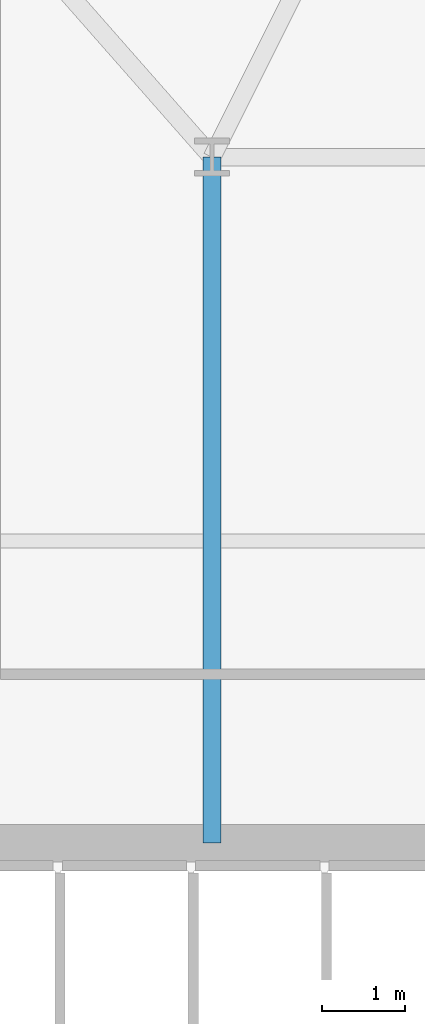
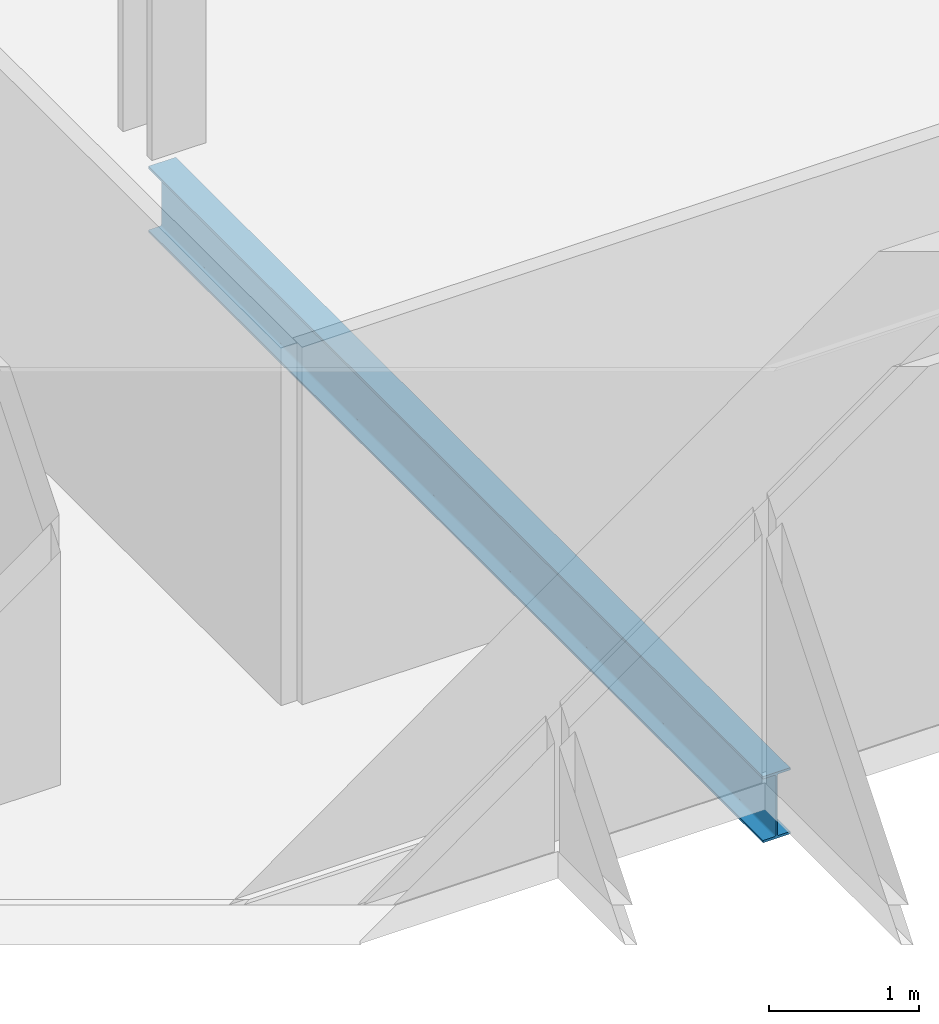
# One storey, part 6 of 31: 1 beam.
"""IFC4 building model written with IfcOpenShell, lengths in metres."""

from ifc_helpers import new_model, si_unit, direction, frame, origin, origin_2d, place, context, subcontext, project, spatial, i_section, extrude, material, material_profile, profile_set, type_object, element, save


model = new_model("IFC4")

# Units and contexts
model_context = context("Model", 3, precision=1e-05, world=origin(), true_north=direction((0.0, 1.0)))
body_context = subcontext(model_context, "Body", "Model", "MODEL_VIEW")
ifc_project = project(units=[si_unit("LENGTHUNIT", "METRE"), si_unit("AREAUNIT", "SQUARE_METRE"), si_unit("VOLUMEUNIT", "CUBIC_METRE"), si_unit("PLANEANGLEUNIT", "RADIAN"), si_unit("MASSUNIT", "GRAM", prefix="KILO")], contexts=[model_context])

# Site, building, storey
site_placement = place(None, origin())
site = spatial("IfcSite", under=ifc_project, at=site_placement, CompositionType="ELEMENT")
building_placement = place(site_placement, origin())
building = spatial("IfcBuilding", under=site, at=building_placement, Name="Ndaravel Arena Tower", CompositionType="ELEMENT")
storey_placement = place(building_placement, frame((0.0, 0.0, 100.60009765625)))
storey = spatial("IfcBuildingStorey", under=building, at=storey_placement, Name="L23", CompositionType="ELEMENT", Elevation=100.60009765625)

# Beam
ifc_material = material(Name="Steel S355", Category="steel")
ifc_material_profile = material_profile(ifc_material, i_section(OverallWidth=0.210693359375, OverallDepth=0.53955078125, WebThickness=0.01171875, FlangeThickness=0.018798828125, FilletRadius=0.0126953125, at=origin_2d()), Name="UB 533x210x109")
ifc_profile_set = profile_set([ifc_material_profile], Name="Steel S355")
beam_type = type_object("IfcBeamType", Name="BM-GIRD-UB533", PredefinedType="BEAM", material=ifc_profile_set)
beam_placement = place(storey_placement, frame((34.199951171875, 14.97998046875, -0.489990234375), z_axis=(0.0, 1.0, 0.0), x_axis=(-1.0, 0.0, 0.0)))
element("IfcBeam", 1, at=beam_placement, inside=storey, type_object=beam_type, Name="L23 Spine Link Girder SLG-01", PredefinedType="BEAM", context=body_context, shape_type="SweptSolid", body=[
    extrude(i_section(OverallWidth=0.210693359375, OverallDepth=0.53955078125, WebThickness=0.01171875, FlangeThickness=0.018798828125, FilletRadius=0.0126953125, at=origin_2d()), origin(), (0.0, 0.0, 1.0), 8.219970703125),
])

save(model, "model.ifc")
